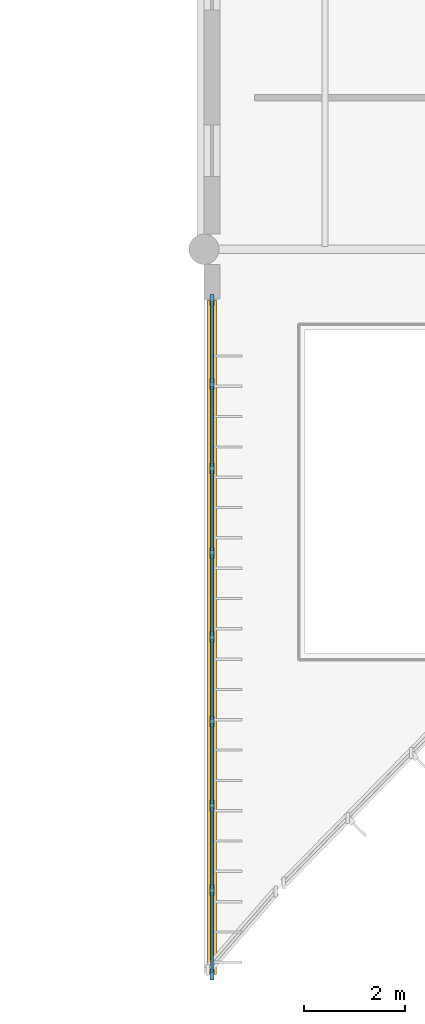
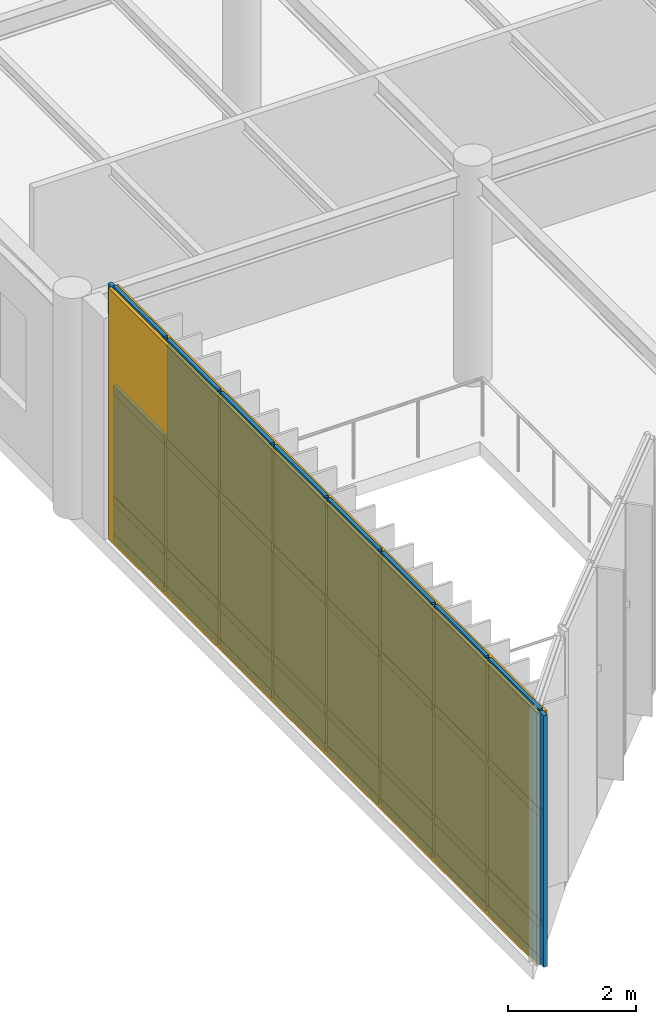
# One storey, part 57 of 104: 41 members, 23 plates, 1 curtain wall.
"""IFC4 building model written with IfcOpenShell, lengths in metres."""

from ifc_helpers import new_model, si_unit, direction, frame, frame_2d, origin, origin_2d, place, context, subcontext, project, spatial, rectangle, extrude, material, layer, layer_set, material_profile, profile_set, type_object, element, aggregate, save


model = new_model("IFC4")

# Units and contexts
model_context = context("Model", 3, precision=1e-05, world=origin(), true_north=direction((0.0, 1.0)))
body_context = subcontext(model_context, "Body", "Model", "MODEL_VIEW")
ifc_project = project(units=[si_unit("LENGTHUNIT", "METRE"), si_unit("AREAUNIT", "SQUARE_METRE"), si_unit("VOLUMEUNIT", "CUBIC_METRE"), si_unit("PLANEANGLEUNIT", "RADIAN"), si_unit("MASSUNIT", "GRAM", prefix="KILO")], contexts=[model_context])

# Member
ifc_material_1 = material(Name="Anodised Bronze Aluminium 6063-T6", Category="aluminium")
ifc_material_profile_1 = material_profile(ifc_material_1, rectangle(XDim=0.070068359375, YDim=0.219970703125, at=origin_2d()), Name="ALU MULLION 70x220")
ifc_profile_set_1 = profile_set([ifc_material_profile_1], Name="Anodised Bronze Aluminium 6063-T6")
member_type_1 = type_object("IfcMemberType", Name="Curtain-Wall Heavy Mullion 70x220", PredefinedType="MULLION", material=ifc_profile_set_1)
site_placement = place(None, origin())
building_placement = place(site_placement, origin())
storey_placement = place(building_placement, frame((0.0, 0.0, 9.0)))
member_1_placement = place(storey_placement, frame((36.159912109375, 1.449951171875, 0.0), z_axis=(0.0, 0.0, 1.0), x_axis=(1.0, 0.0, 0.0)))
member_1 = element("IfcMember", 1, at=member_1_placement, type_object=member_type_1, Name="Mullion CWM-02 CW-V5-RET-W-L02-M01", PredefinedType="MULLION", context=body_context, shape_type="SweptSolid", body=[
    extrude(rectangle(XDim=0.070068359375, YDim=0.219970703125, at=origin_2d()), origin(), (0.0, 0.0, 1.0), 4.780029296875),
])

member_2_placement = place(storey_placement, frame((36.159912109375, 3.118896484375, 0.0), z_axis=(0.0, 0.0, 1.0), x_axis=(1.0, 0.0, 0.0)))
member_2 = element("IfcMember", 2, at=member_2_placement, type_object=member_type_1, Name="Mullion CWM-02 CW-V5-RET-W-L02-M02", PredefinedType="MULLION", context=body_context, shape_type="SweptSolid", body=[
    extrude(rectangle(XDim=0.070068359375, YDim=0.219970703125, at=origin_2d()), origin(), (0.0, 0.0, 1.0), 4.780029296875),
])

member_3_placement = place(storey_placement, frame((36.159912109375, 4.78759765625, 0.0), z_axis=(0.0, 0.0, 1.0), x_axis=(1.0, 0.0, 0.0)))
member_3 = element("IfcMember", 3, at=member_3_placement, type_object=member_type_1, Name="Mullion CWM-02 CW-V5-RET-W-L02-M03", PredefinedType="MULLION", context=body_context, shape_type="SweptSolid", body=[
    extrude(rectangle(XDim=0.070068359375, YDim=0.219970703125, at=origin_2d()), origin(), (0.0, 0.0, 1.0), 4.780029296875),
])

member_4_placement = place(storey_placement, frame((36.159912109375, 6.456298828125, 0.0), z_axis=(0.0, 0.0, 1.0), x_axis=(1.0, 0.0, 0.0)))
member_4 = element("IfcMember", 4, at=member_4_placement, type_object=member_type_1, Name="Mullion CWM-02 CW-V5-RET-W-L02-M04", PredefinedType="MULLION", context=body_context, shape_type="SweptSolid", body=[
    extrude(rectangle(XDim=0.070068359375, YDim=0.219970703125, at=origin_2d()), origin(), (0.0, 0.0, 1.0), 4.780029296875),
])

member_5_placement = place(storey_placement, frame((36.159912109375, 8.125, 0.0), z_axis=(0.0, 0.0, 1.0), x_axis=(1.0, 0.0, 0.0)))
member_5 = element("IfcMember", 5, at=member_5_placement, type_object=member_type_1, Name="Mullion CWM-02 CW-V5-RET-W-L02-M05", PredefinedType="MULLION", context=body_context, shape_type="SweptSolid", body=[
    extrude(rectangle(XDim=0.070068359375, YDim=0.219970703125, at=origin_2d()), origin(), (0.0, 0.0, 1.0), 4.780029296875),
])

member_6_placement = place(storey_placement, frame((36.159912109375, 9.793701171875, 0.0), z_axis=(0.0, 0.0, 1.0), x_axis=(1.0, 0.0, 0.0)))
member_6 = element("IfcMember", 6, at=member_6_placement, type_object=member_type_1, Name="Mullion CWM-02 CW-V5-RET-W-L02-M06", PredefinedType="MULLION", context=body_context, shape_type="SweptSolid", body=[
    extrude(rectangle(XDim=0.070068359375, YDim=0.219970703125, at=origin_2d()), origin(), (0.0, 0.0, 1.0), 4.780029296875),
])

member_7_placement = place(storey_placement, frame((36.159912109375, 11.46240234375, 0.0), z_axis=(0.0, 0.0, 1.0), x_axis=(1.0, 0.0, 0.0)))
member_7 = element("IfcMember", 7, at=member_7_placement, type_object=member_type_1, Name="Mullion CWM-02 CW-V5-RET-W-L02-M07", PredefinedType="MULLION", context=body_context, shape_type="SweptSolid", body=[
    extrude(rectangle(XDim=0.070068359375, YDim=0.219970703125, at=origin_2d()), origin(), (0.0, 0.0, 1.0), 4.780029296875),
])

member_8_placement = place(storey_placement, frame((36.159912109375, 13.13134765625, 0.0), z_axis=(0.0, 0.0, 1.0), x_axis=(1.0, 0.0, 0.0)))
member_8 = element("IfcMember", 8, at=member_8_placement, type_object=member_type_1, Name="Mullion CWM-02 CW-V5-RET-W-L02-M08", PredefinedType="MULLION", context=body_context, shape_type="SweptSolid", body=[
    extrude(rectangle(XDim=0.070068359375, YDim=0.219970703125, at=origin_2d()), origin(), (0.0, 0.0, 1.0), 4.780029296875),
])

member_9_placement = place(storey_placement, frame((36.159912109375, 14.800048828125, 0.0), z_axis=(0.0, 0.0, 1.0), x_axis=(1.0, 0.0, 0.0)))
member_9 = element("IfcMember", 9, at=member_9_placement, type_object=member_type_1, Name="Mullion CWM-02 CW-V5-RET-W-L02-M09", PredefinedType="MULLION", context=body_context, shape_type="SweptSolid", body=[
    extrude(rectangle(XDim=0.070068359375, YDim=0.219970703125, at=origin_2d()), origin(), (0.0, 0.0, 1.0), 4.780029296875),
])

ifc_material_profile_2 = material_profile(ifc_material_1, rectangle(XDim=0.06005859375, YDim=0.159912109375, at=origin_2d()), Name="ALU TRANSOM 60x160")
ifc_profile_set_2 = profile_set([ifc_material_profile_2], Name="Anodised Bronze Aluminium 6063-T6")
member_type_2 = type_object("IfcMemberType", Name="Curtain-Wall Heavy Transom 60x160", PredefinedType="USERDEFINED", material=ifc_profile_set_2)
member_10_placement = place(storey_placement, frame((36.159912109375, 1.485107421875, 0.0400390625), z_axis=(0.0, 1.0, 0.0), x_axis=(-1.0, 0.0, 0.0)))
member_10 = element("IfcMember", 10, at=member_10_placement, type_object=member_type_2, Name="Transom CWT-02 CW-V5-RET-W-L02-T01.1", ObjectType="TRANSOM", PredefinedType="USERDEFINED", context=body_context, shape_type="SweptSolid", body=[
    extrude(rectangle(XDim=0.06005859375, YDim=0.159912109375, at=origin_2d()), origin(), (0.0, 0.0, 1.0), 1.5986328125),
])

member_11_placement = place(storey_placement, frame((36.159912109375, 1.485107421875, 0.75), z_axis=(0.0, 1.0, 0.0), x_axis=(-1.0, 0.0, 0.0)))
member_11 = element("IfcMember", 11, at=member_11_placement, type_object=member_type_2, Name="Transom CWT-02 CW-V5-RET-W-L02-T01.2", ObjectType="TRANSOM", PredefinedType="USERDEFINED", context=body_context, shape_type="SweptSolid", body=[
    extrude(rectangle(XDim=0.06005859375, YDim=0.159912109375, at=origin_2d()), origin(), (0.0, 0.0, 1.0), 1.5986328125),
])

member_12_placement = place(storey_placement, frame((36.159912109375, 1.485107421875, 2.845703125), z_axis=(0.0, 1.0, 0.0), x_axis=(-1.0, 0.0, 0.0)))
member_12 = element("IfcMember", 12, at=member_12_placement, type_object=member_type_2, Name="Transom CWT-02 CW-V5-RET-W-L02-T01.3", ObjectType="TRANSOM", PredefinedType="USERDEFINED", context=body_context, shape_type="SweptSolid", body=[
    extrude(rectangle(XDim=0.06005859375, YDim=0.159912109375, at=origin_2d()), origin(), (0.0, 0.0, 1.0), 1.5986328125),
])

member_13_placement = place(storey_placement, frame((36.159912109375, 1.485107421875, 4.739990234375), z_axis=(0.0, 1.0, 0.0), x_axis=(-1.0, 0.0, 0.0)))
member_13 = element("IfcMember", 13, at=member_13_placement, type_object=member_type_2, Name="Transom CWT-02 CW-V5-RET-W-L02-T01.4", ObjectType="TRANSOM", PredefinedType="USERDEFINED", context=body_context, shape_type="SweptSolid", body=[
    extrude(rectangle(XDim=0.06005859375, YDim=0.159912109375, at=origin_2d()), origin(), (0.0, 0.0, 1.0), 1.5986328125),
])

member_14_placement = place(storey_placement, frame((36.159912109375, 3.15380859375, 0.0400390625), z_axis=(0.0, 1.0, 0.0), x_axis=(-1.0, 0.0, 0.0)))
member_14 = element("IfcMember", 14, at=member_14_placement, type_object=member_type_2, Name="Transom CWT-02 CW-V5-RET-W-L02-T02.1", ObjectType="TRANSOM", PredefinedType="USERDEFINED", context=body_context, shape_type="SweptSolid", body=[
    extrude(rectangle(XDim=0.06005859375, YDim=0.159912109375, at=origin_2d()), origin(), (0.0, 0.0, 1.0), 1.5986328125),
])

member_15_placement = place(storey_placement, frame((36.159912109375, 3.15380859375, 0.75), z_axis=(0.0, 1.0, 0.0), x_axis=(-1.0, 0.0, 0.0)))
member_15 = element("IfcMember", 15, at=member_15_placement, type_object=member_type_2, Name="Transom CWT-02 CW-V5-RET-W-L02-T02.2", ObjectType="TRANSOM", PredefinedType="USERDEFINED", context=body_context, shape_type="SweptSolid", body=[
    extrude(rectangle(XDim=0.06005859375, YDim=0.159912109375, at=origin_2d()), origin(), (0.0, 0.0, 1.0), 1.5986328125),
])

member_16_placement = place(storey_placement, frame((36.159912109375, 3.15380859375, 2.845703125), z_axis=(0.0, 1.0, 0.0), x_axis=(-1.0, 0.0, 0.0)))
member_16 = element("IfcMember", 16, at=member_16_placement, type_object=member_type_2, Name="Transom CWT-02 CW-V5-RET-W-L02-T02.3", ObjectType="TRANSOM", PredefinedType="USERDEFINED", context=body_context, shape_type="SweptSolid", body=[
    extrude(rectangle(XDim=0.06005859375, YDim=0.159912109375, at=origin_2d()), origin(), (0.0, 0.0, 1.0), 1.5986328125),
])

member_17_placement = place(storey_placement, frame((36.159912109375, 3.15380859375, 4.739990234375), z_axis=(0.0, 1.0, 0.0), x_axis=(-1.0, 0.0, 0.0)))
member_17 = element("IfcMember", 17, at=member_17_placement, type_object=member_type_2, Name="Transom CWT-02 CW-V5-RET-W-L02-T02.4", ObjectType="TRANSOM", PredefinedType="USERDEFINED", context=body_context, shape_type="SweptSolid", body=[
    extrude(rectangle(XDim=0.06005859375, YDim=0.159912109375, at=origin_2d()), origin(), (0.0, 0.0, 1.0), 1.5986328125),
])

member_18_placement = place(storey_placement, frame((36.159912109375, 4.822509765625, 0.0400390625), z_axis=(0.0, 1.0, 0.0), x_axis=(-1.0, 0.0, 0.0)))
member_18 = element("IfcMember", 18, at=member_18_placement, type_object=member_type_2, Name="Transom CWT-02 CW-V5-RET-W-L02-T03.1", ObjectType="TRANSOM", PredefinedType="USERDEFINED", context=body_context, shape_type="SweptSolid", body=[
    extrude(rectangle(XDim=0.06005859375, YDim=0.159912109375, at=origin_2d()), origin(), (0.0, 0.0, 1.0), 1.598876953125),
])

member_19_placement = place(storey_placement, frame((36.159912109375, 4.822509765625, 0.75), z_axis=(0.0, 1.0, 0.0), x_axis=(-1.0, 0.0, 0.0)))
member_19 = element("IfcMember", 19, at=member_19_placement, type_object=member_type_2, Name="Transom CWT-02 CW-V5-RET-W-L02-T03.2", ObjectType="TRANSOM", PredefinedType="USERDEFINED", context=body_context, shape_type="SweptSolid", body=[
    extrude(rectangle(XDim=0.06005859375, YDim=0.159912109375, at=origin_2d()), origin(), (0.0, 0.0, 1.0), 1.598876953125),
])

member_20_placement = place(storey_placement, frame((36.159912109375, 4.822509765625, 2.845703125), z_axis=(0.0, 1.0, 0.0), x_axis=(-1.0, 0.0, 0.0)))
member_20 = element("IfcMember", 20, at=member_20_placement, type_object=member_type_2, Name="Transom CWT-02 CW-V5-RET-W-L02-T03.3", ObjectType="TRANSOM", PredefinedType="USERDEFINED", context=body_context, shape_type="SweptSolid", body=[
    extrude(rectangle(XDim=0.06005859375, YDim=0.159912109375, at=origin_2d()), origin(), (0.0, 0.0, 1.0), 1.598876953125),
])

member_21_placement = place(storey_placement, frame((36.159912109375, 4.822509765625, 4.739990234375), z_axis=(0.0, 1.0, 0.0), x_axis=(-1.0, 0.0, 0.0)))
member_21 = element("IfcMember", 21, at=member_21_placement, type_object=member_type_2, Name="Transom CWT-02 CW-V5-RET-W-L02-T03.4", ObjectType="TRANSOM", PredefinedType="USERDEFINED", context=body_context, shape_type="SweptSolid", body=[
    extrude(rectangle(XDim=0.06005859375, YDim=0.159912109375, at=origin_2d()), origin(), (0.0, 0.0, 1.0), 1.598876953125),
])

member_22_placement = place(storey_placement, frame((36.159912109375, 6.4912109375, 0.0400390625), z_axis=(0.0, 1.0, 0.0), x_axis=(-1.0, 0.0, 0.0)))
member_22 = element("IfcMember", 22, at=member_22_placement, type_object=member_type_2, Name="Transom CWT-02 CW-V5-RET-W-L02-T04.1", ObjectType="TRANSOM", PredefinedType="USERDEFINED", context=body_context, shape_type="SweptSolid", body=[
    extrude(rectangle(XDim=0.06005859375, YDim=0.159912109375, at=origin_2d()), origin(), (0.0, 0.0, 1.0), 1.598876953125),
])

member_23_placement = place(storey_placement, frame((36.159912109375, 6.4912109375, 0.75), z_axis=(0.0, 1.0, 0.0), x_axis=(-1.0, 0.0, 0.0)))
member_23 = element("IfcMember", 23, at=member_23_placement, type_object=member_type_2, Name="Transom CWT-02 CW-V5-RET-W-L02-T04.2", ObjectType="TRANSOM", PredefinedType="USERDEFINED", context=body_context, shape_type="SweptSolid", body=[
    extrude(rectangle(XDim=0.06005859375, YDim=0.159912109375, at=origin_2d()), origin(), (0.0, 0.0, 1.0), 1.598876953125),
])

member_24_placement = place(storey_placement, frame((36.159912109375, 6.4912109375, 2.845703125), z_axis=(0.0, 1.0, 0.0), x_axis=(-1.0, 0.0, 0.0)))
member_24 = element("IfcMember", 24, at=member_24_placement, type_object=member_type_2, Name="Transom CWT-02 CW-V5-RET-W-L02-T04.3", ObjectType="TRANSOM", PredefinedType="USERDEFINED", context=body_context, shape_type="SweptSolid", body=[
    extrude(rectangle(XDim=0.06005859375, YDim=0.159912109375, at=origin_2d()), origin(), (0.0, 0.0, 1.0), 1.598876953125),
])

member_25_placement = place(storey_placement, frame((36.159912109375, 6.4912109375, 4.739990234375), z_axis=(0.0, 1.0, 0.0), x_axis=(-1.0, 0.0, 0.0)))
member_25 = element("IfcMember", 25, at=member_25_placement, type_object=member_type_2, Name="Transom CWT-02 CW-V5-RET-W-L02-T04.4", ObjectType="TRANSOM", PredefinedType="USERDEFINED", context=body_context, shape_type="SweptSolid", body=[
    extrude(rectangle(XDim=0.06005859375, YDim=0.159912109375, at=origin_2d()), origin(), (0.0, 0.0, 1.0), 1.598876953125),
])

member_26_placement = place(storey_placement, frame((36.159912109375, 8.159912109375, 0.0400390625), z_axis=(0.0, 1.0, 0.0), x_axis=(-1.0, 0.0, 0.0)))
member_26 = element("IfcMember", 26, at=member_26_placement, type_object=member_type_2, Name="Transom CWT-02 CW-V5-RET-W-L02-T05.1", ObjectType="TRANSOM", PredefinedType="USERDEFINED", context=body_context, shape_type="SweptSolid", body=[
    extrude(rectangle(XDim=0.06005859375, YDim=0.159912109375, at=origin_2d()), origin(), (0.0, 0.0, 1.0), 1.598876953125),
])

member_27_placement = place(storey_placement, frame((36.159912109375, 8.159912109375, 0.75), z_axis=(0.0, 1.0, 0.0), x_axis=(-1.0, 0.0, 0.0)))
member_27 = element("IfcMember", 27, at=member_27_placement, type_object=member_type_2, Name="Transom CWT-02 CW-V5-RET-W-L02-T05.2", ObjectType="TRANSOM", PredefinedType="USERDEFINED", context=body_context, shape_type="SweptSolid", body=[
    extrude(rectangle(XDim=0.06005859375, YDim=0.159912109375, at=origin_2d()), origin(), (0.0, 0.0, 1.0), 1.598876953125),
])

member_28_placement = place(storey_placement, frame((36.159912109375, 8.159912109375, 2.845703125), z_axis=(0.0, 1.0, 0.0), x_axis=(-1.0, 0.0, 0.0)))
member_28 = element("IfcMember", 28, at=member_28_placement, type_object=member_type_2, Name="Transom CWT-02 CW-V5-RET-W-L02-T05.3", ObjectType="TRANSOM", PredefinedType="USERDEFINED", context=body_context, shape_type="SweptSolid", body=[
    extrude(rectangle(XDim=0.06005859375, YDim=0.159912109375, at=origin_2d()), origin(), (0.0, 0.0, 1.0), 1.598876953125),
])

member_29_placement = place(storey_placement, frame((36.159912109375, 8.159912109375, 4.739990234375), z_axis=(0.0, 1.0, 0.0), x_axis=(-1.0, 0.0, 0.0)))
member_29 = element("IfcMember", 29, at=member_29_placement, type_object=member_type_2, Name="Transom CWT-02 CW-V5-RET-W-L02-T05.4", ObjectType="TRANSOM", PredefinedType="USERDEFINED", context=body_context, shape_type="SweptSolid", body=[
    extrude(rectangle(XDim=0.06005859375, YDim=0.159912109375, at=origin_2d()), origin(), (0.0, 0.0, 1.0), 1.598876953125),
])

member_30_placement = place(storey_placement, frame((36.159912109375, 9.82861328125, 0.0400390625), z_axis=(0.0, 1.0, 0.0), x_axis=(-1.0, 0.0, 0.0)))
member_30 = element("IfcMember", 30, at=member_30_placement, type_object=member_type_2, Name="Transom CWT-02 CW-V5-RET-W-L02-T06.1", ObjectType="TRANSOM", PredefinedType="USERDEFINED", context=body_context, shape_type="SweptSolid", body=[
    extrude(rectangle(XDim=0.06005859375, YDim=0.159912109375, at=origin_2d()), origin(), (0.0, 0.0, 1.0), 1.598876953125),
])

member_31_placement = place(storey_placement, frame((36.159912109375, 9.82861328125, 0.75), z_axis=(0.0, 1.0, 0.0), x_axis=(-1.0, 0.0, 0.0)))
member_31 = element("IfcMember", 31, at=member_31_placement, type_object=member_type_2, Name="Transom CWT-02 CW-V5-RET-W-L02-T06.2", ObjectType="TRANSOM", PredefinedType="USERDEFINED", context=body_context, shape_type="SweptSolid", body=[
    extrude(rectangle(XDim=0.06005859375, YDim=0.159912109375, at=origin_2d()), origin(), (0.0, 0.0, 1.0), 1.598876953125),
])

member_32_placement = place(storey_placement, frame((36.159912109375, 9.82861328125, 2.845703125), z_axis=(0.0, 1.0, 0.0), x_axis=(-1.0, 0.0, 0.0)))
member_32 = element("IfcMember", 32, at=member_32_placement, type_object=member_type_2, Name="Transom CWT-02 CW-V5-RET-W-L02-T06.3", ObjectType="TRANSOM", PredefinedType="USERDEFINED", context=body_context, shape_type="SweptSolid", body=[
    extrude(rectangle(XDim=0.06005859375, YDim=0.159912109375, at=origin_2d()), origin(), (0.0, 0.0, 1.0), 1.598876953125),
])

member_33_placement = place(storey_placement, frame((36.159912109375, 9.82861328125, 4.739990234375), z_axis=(0.0, 1.0, 0.0), x_axis=(-1.0, 0.0, 0.0)))
member_33 = element("IfcMember", 33, at=member_33_placement, type_object=member_type_2, Name="Transom CWT-02 CW-V5-RET-W-L02-T06.4", ObjectType="TRANSOM", PredefinedType="USERDEFINED", context=body_context, shape_type="SweptSolid", body=[
    extrude(rectangle(XDim=0.06005859375, YDim=0.159912109375, at=origin_2d()), origin(), (0.0, 0.0, 1.0), 1.598876953125),
])

member_34_placement = place(storey_placement, frame((36.159912109375, 11.49755859375, 0.0400390625), z_axis=(0.0, 1.0, 0.0), x_axis=(-1.0, 0.0, 0.0)))
member_34 = element("IfcMember", 34, at=member_34_placement, type_object=member_type_2, Name="Transom CWT-02 CW-V5-RET-W-L02-T07.1", ObjectType="TRANSOM", PredefinedType="USERDEFINED", context=body_context, shape_type="SweptSolid", body=[
    extrude(rectangle(XDim=0.06005859375, YDim=0.159912109375, at=origin_2d()), origin(), (0.0, 0.0, 1.0), 1.5986328125),
])

member_35_placement = place(storey_placement, frame((36.159912109375, 11.49755859375, 0.75), z_axis=(0.0, 1.0, 0.0), x_axis=(-1.0, 0.0, 0.0)))
member_35 = element("IfcMember", 35, at=member_35_placement, type_object=member_type_2, Name="Transom CWT-02 CW-V5-RET-W-L02-T07.2", ObjectType="TRANSOM", PredefinedType="USERDEFINED", context=body_context, shape_type="SweptSolid", body=[
    extrude(rectangle(XDim=0.06005859375, YDim=0.159912109375, at=origin_2d()), origin(), (0.0, 0.0, 1.0), 1.5986328125),
])

member_36_placement = place(storey_placement, frame((36.159912109375, 11.49755859375, 2.845703125), z_axis=(0.0, 1.0, 0.0), x_axis=(-1.0, 0.0, 0.0)))
member_36 = element("IfcMember", 36, at=member_36_placement, type_object=member_type_2, Name="Transom CWT-02 CW-V5-RET-W-L02-T07.3", ObjectType="TRANSOM", PredefinedType="USERDEFINED", context=body_context, shape_type="SweptSolid", body=[
    extrude(rectangle(XDim=0.06005859375, YDim=0.159912109375, at=origin_2d()), origin(), (0.0, 0.0, 1.0), 1.5986328125),
])

member_37_placement = place(storey_placement, frame((36.159912109375, 11.49755859375, 4.739990234375), z_axis=(0.0, 1.0, 0.0), x_axis=(-1.0, 0.0, 0.0)))
member_37 = element("IfcMember", 37, at=member_37_placement, type_object=member_type_2, Name="Transom CWT-02 CW-V5-RET-W-L02-T07.4", ObjectType="TRANSOM", PredefinedType="USERDEFINED", context=body_context, shape_type="SweptSolid", body=[
    extrude(rectangle(XDim=0.06005859375, YDim=0.159912109375, at=origin_2d()), origin(), (0.0, 0.0, 1.0), 1.5986328125),
])

member_38_placement = place(storey_placement, frame((36.159912109375, 13.166259765625, 0.0400390625), z_axis=(0.0, 1.0, 0.0), x_axis=(-1.0, 0.0, 0.0)))
member_38 = element("IfcMember", 38, at=member_38_placement, type_object=member_type_2, Name="Transom CWT-02 CW-V5-RET-W-L02-T08.1", ObjectType="TRANSOM", PredefinedType="USERDEFINED", context=body_context, shape_type="SweptSolid", body=[
    extrude(rectangle(XDim=0.06005859375, YDim=0.159912109375, at=origin_2d()), origin(), (0.0, 0.0, 1.0), 1.5986328125),
])

member_39_placement = place(storey_placement, frame((36.159912109375, 13.166259765625, 0.75), z_axis=(0.0, 1.0, 0.0), x_axis=(-1.0, 0.0, 0.0)))
member_39 = element("IfcMember", 39, at=member_39_placement, type_object=member_type_2, Name="Transom CWT-02 CW-V5-RET-W-L02-T08.2", ObjectType="TRANSOM", PredefinedType="USERDEFINED", context=body_context, shape_type="SweptSolid", body=[
    extrude(rectangle(XDim=0.06005859375, YDim=0.159912109375, at=origin_2d()), origin(), (0.0, 0.0, 1.0), 1.5986328125),
])

member_40_placement = place(storey_placement, frame((36.159912109375, 13.166259765625, 2.845703125), z_axis=(0.0, 1.0, 0.0), x_axis=(-1.0, 0.0, 0.0)))
member_40 = element("IfcMember", 40, at=member_40_placement, type_object=member_type_2, Name="Transom CWT-02 CW-V5-RET-W-L02-T08.3", ObjectType="TRANSOM", PredefinedType="USERDEFINED", context=body_context, shape_type="SweptSolid", body=[
    extrude(rectangle(XDim=0.06005859375, YDim=0.159912109375, at=origin_2d()), origin(), (0.0, 0.0, 1.0), 1.5986328125),
])

member_41_placement = place(storey_placement, frame((36.159912109375, 13.166259765625, 4.739990234375), z_axis=(0.0, 1.0, 0.0), x_axis=(-1.0, 0.0, 0.0)))
member_41 = element("IfcMember", 41, at=member_41_placement, type_object=member_type_2, Name="Transom CWT-02 CW-V5-RET-W-L02-T08.4", ObjectType="TRANSOM", PredefinedType="USERDEFINED", context=body_context, shape_type="SweptSolid", body=[
    extrude(rectangle(XDim=0.06005859375, YDim=0.159912109375, at=origin_2d()), origin(), (0.0, 0.0, 1.0), 1.5986328125),
])

# Plate
ifc_material_2 = material(Name="Double Low-E Acoustic Laminated Glass", Category="glass")
ifc_layer_1 = layer(ifc_material_2, 0.0439453125, Name="Double Low-E Acoustic Laminated Glass")
ifc_layer_set_1 = layer_set([ifc_layer_1], Name="Double Low-E Acoustic Laminated Glass")
plate_type_1 = type_object("IfcPlateType", Name="Acoustic Laminated Low-E Glazing Unit 44", PredefinedType="CURTAIN_PANEL", material=ifc_layer_set_1)
plate_1_placement = place(storey_placement, frame((36.159912109375, 2.284423828125, 0.780029296875), z_axis=(0.0, 0.0, 1.0), x_axis=(0.0, 1.0, 0.0)))
plate_1 = element("IfcPlate", 42, at=plate_1_placement, type_object=plate_type_1, Name="Curtain Panel CWP-01 CW-V5-RET-W-L02-P01.2", PredefinedType="CURTAIN_PANEL", context=body_context, shape_type="SweptSolid", body=[
    extrude(rectangle(XDim=1.598876953125, YDim=0.0439453125, at=origin_2d()), origin(), (0.0, 0.0, 1.0), 2.03564453125),
])

plate_2_placement = place(storey_placement, frame((36.159912109375, 2.284423828125, 2.87548828125), z_axis=(0.0, 0.0, 1.0), x_axis=(0.0, 1.0, 0.0)))
plate_2 = element("IfcPlate", 43, at=plate_2_placement, type_object=plate_type_1, Name="Curtain Panel CWP-01 CW-V5-RET-W-L02-P01.3", PredefinedType="CURTAIN_PANEL", context=body_context, shape_type="SweptSolid", body=[
    extrude(rectangle(XDim=1.598876953125, YDim=0.0439453125, at=origin_2d()), origin(), (0.0, 0.0, 1.0), 1.83447265625),
])

plate_3_placement = place(storey_placement, frame((36.159912109375, 3.953125, 0.780029296875), z_axis=(0.0, 0.0, 1.0), x_axis=(0.0, 1.0, 0.0)))
plate_3 = element("IfcPlate", 44, at=plate_3_placement, type_object=plate_type_1, Name="Curtain Panel CWP-01 CW-V5-RET-W-L02-P02.2", PredefinedType="CURTAIN_PANEL", context=body_context, shape_type="SweptSolid", body=[
    extrude(rectangle(XDim=1.598876953125, YDim=0.0439453125, at=origin_2d()), origin(), (0.0, 0.0, 1.0), 2.03564453125),
])

plate_4_placement = place(storey_placement, frame((36.159912109375, 3.953125, 2.87548828125), z_axis=(0.0, 0.0, 1.0), x_axis=(0.0, 1.0, 0.0)))
plate_4 = element("IfcPlate", 45, at=plate_4_placement, type_object=plate_type_1, Name="Curtain Panel CWP-01 CW-V5-RET-W-L02-P02.3", PredefinedType="CURTAIN_PANEL", context=body_context, shape_type="SweptSolid", body=[
    extrude(rectangle(XDim=1.598876953125, YDim=0.0439453125, at=origin_2d()), origin(), (0.0, 0.0, 1.0), 1.83447265625),
])

plate_5_placement = place(storey_placement, frame((36.159912109375, 5.621826171875, 0.780029296875), z_axis=(0.0, 0.0, 1.0), x_axis=(0.0, 1.0, 0.0)))
plate_5 = element("IfcPlate", 46, at=plate_5_placement, type_object=plate_type_1, Name="Curtain Panel CWP-01 CW-V5-RET-W-L02-P03.2", PredefinedType="CURTAIN_PANEL", context=body_context, shape_type="SweptSolid", body=[
    extrude(rectangle(XDim=1.5986328125, YDim=0.0439453125, at=origin_2d()), origin(), (0.0, 0.0, 1.0), 2.03564453125),
])

plate_6_placement = place(storey_placement, frame((36.159912109375, 5.621826171875, 2.87548828125), z_axis=(0.0, 0.0, 1.0), x_axis=(0.0, 1.0, 0.0)))
plate_6 = element("IfcPlate", 47, at=plate_6_placement, type_object=plate_type_1, Name="Curtain Panel CWP-01 CW-V5-RET-W-L02-P03.3", PredefinedType="CURTAIN_PANEL", context=body_context, shape_type="SweptSolid", body=[
    extrude(rectangle(XDim=1.5986328125, YDim=0.0439453125, at=origin_2d()), origin(), (0.0, 0.0, 1.0), 1.83447265625),
])

plate_7_placement = place(storey_placement, frame((36.159912109375, 7.29052734375, 0.780029296875), z_axis=(0.0, 0.0, 1.0), x_axis=(0.0, 1.0, 0.0)))
plate_7 = element("IfcPlate", 48, at=plate_7_placement, type_object=plate_type_1, Name="Curtain Panel CWP-01 CW-V5-RET-W-L02-P04.2", PredefinedType="CURTAIN_PANEL", context=body_context, shape_type="SweptSolid", body=[
    extrude(rectangle(XDim=1.5986328125, YDim=0.0439453125, at=origin_2d()), origin(), (0.0, 0.0, 1.0), 2.03564453125),
])

plate_8_placement = place(storey_placement, frame((36.159912109375, 7.29052734375, 2.87548828125), z_axis=(0.0, 0.0, 1.0), x_axis=(0.0, 1.0, 0.0)))
plate_8 = element("IfcPlate", 49, at=plate_8_placement, type_object=plate_type_1, Name="Curtain Panel CWP-01 CW-V5-RET-W-L02-P04.3", PredefinedType="CURTAIN_PANEL", context=body_context, shape_type="SweptSolid", body=[
    extrude(rectangle(XDim=1.5986328125, YDim=0.0439453125, at=origin_2d()), origin(), (0.0, 0.0, 1.0), 1.83447265625),
])

plate_9_placement = place(storey_placement, frame((36.159912109375, 8.95947265625, 0.780029296875), z_axis=(0.0, 0.0, 1.0), x_axis=(0.0, 1.0, 0.0)))
plate_9 = element("IfcPlate", 50, at=plate_9_placement, type_object=plate_type_1, Name="Curtain Panel CWP-01 CW-V5-RET-W-L02-P05.2", PredefinedType="CURTAIN_PANEL", context=body_context, shape_type="SweptSolid", body=[
    extrude(rectangle(XDim=1.5986328125, YDim=0.0439453125, at=origin_2d()), origin(), (0.0, 0.0, 1.0), 2.03564453125),
])

plate_10_placement = place(storey_placement, frame((36.159912109375, 8.95947265625, 2.87548828125), z_axis=(0.0, 0.0, 1.0), x_axis=(0.0, 1.0, 0.0)))
plate_10 = element("IfcPlate", 51, at=plate_10_placement, type_object=plate_type_1, Name="Curtain Panel CWP-01 CW-V5-RET-W-L02-P05.3", PredefinedType="CURTAIN_PANEL", context=body_context, shape_type="SweptSolid", body=[
    extrude(rectangle(XDim=1.5986328125, YDim=0.0439453125, at=origin_2d()), origin(), (0.0, 0.0, 1.0), 1.83447265625),
])

plate_11_placement = place(storey_placement, frame((36.159912109375, 10.628173828125, 0.780029296875), z_axis=(0.0, 0.0, 1.0), x_axis=(0.0, 1.0, 0.0)))
plate_11 = element("IfcPlate", 52, at=plate_11_placement, type_object=plate_type_1, Name="Curtain Panel CWP-01 CW-V5-RET-W-L02-P06.2", PredefinedType="CURTAIN_PANEL", context=body_context, shape_type="SweptSolid", body=[
    extrude(rectangle(XDim=1.598876953125, YDim=0.0439453125, at=origin_2d()), origin(), (0.0, 0.0, 1.0), 2.03564453125),
])

plate_12_placement = place(storey_placement, frame((36.159912109375, 10.628173828125, 2.87548828125), z_axis=(0.0, 0.0, 1.0), x_axis=(0.0, 1.0, 0.0)))
plate_12 = element("IfcPlate", 53, at=plate_12_placement, type_object=plate_type_1, Name="Curtain Panel CWP-01 CW-V5-RET-W-L02-P06.3", PredefinedType="CURTAIN_PANEL", context=body_context, shape_type="SweptSolid", body=[
    extrude(rectangle(XDim=1.598876953125, YDim=0.0439453125, at=origin_2d()), origin(), (0.0, 0.0, 1.0), 1.83447265625),
])

plate_13_placement = place(storey_placement, frame((36.159912109375, 12.296875, 0.780029296875), z_axis=(0.0, 0.0, 1.0), x_axis=(0.0, 1.0, 0.0)))
plate_13 = element("IfcPlate", 54, at=plate_13_placement, type_object=plate_type_1, Name="Curtain Panel CWP-01 CW-V5-RET-W-L02-P07.2", PredefinedType="CURTAIN_PANEL", context=body_context, shape_type="SweptSolid", body=[
    extrude(rectangle(XDim=1.598876953125, YDim=0.0439453125, at=origin_2d()), origin(), (0.0, 0.0, 1.0), 2.03564453125),
])

plate_14_placement = place(storey_placement, frame((36.159912109375, 12.296875, 2.87548828125), z_axis=(0.0, 0.0, 1.0), x_axis=(0.0, 1.0, 0.0)))
plate_14 = element("IfcPlate", 55, at=plate_14_placement, type_object=plate_type_1, Name="Curtain Panel CWP-01 CW-V5-RET-W-L02-P07.3", PredefinedType="CURTAIN_PANEL", context=body_context, shape_type="SweptSolid", body=[
    extrude(rectangle(XDim=1.598876953125, YDim=0.0439453125, at=origin_2d()), origin(), (0.0, 0.0, 1.0), 1.83447265625),
])

plate_15_placement = place(storey_placement, frame((36.159912109375, 13.965576171875, 0.780029296875), z_axis=(0.0, 0.0, 1.0), x_axis=(0.0, 1.0, 0.0)))
plate_15 = element("IfcPlate", 56, at=plate_15_placement, type_object=plate_type_1, Name="Curtain Panel CWP-01 CW-V5-RET-W-L02-P08.2", PredefinedType="CURTAIN_PANEL", context=body_context, shape_type="SweptSolid", body=[
    extrude(rectangle(XDim=1.5986328125, YDim=0.0439453125, at=origin_2d()), origin(), (0.0, 0.0, 1.0), 2.03564453125),
])

ifc_material_3 = material(Name="Ceramic-Fritted Tempered Laminated Glass", Category="glass")
ifc_layer_2 = layer(ifc_material_3, 0.0458984375, Name="Ceramic-Fritted Tempered Laminated Glass")
ifc_layer_set_2 = layer_set([ifc_layer_2], Name="Ceramic-Fritted Tempered Laminated Glass")
plate_type_2 = type_object("IfcPlateType", Name="Ceramic-Frit Acoustic Spandrel Glazing 46", PredefinedType="CURTAIN_PANEL", material=ifc_layer_set_2)
plate_16_placement = place(storey_placement, frame((36.159912109375, 2.284423828125, 0.070068359375), z_axis=(0.0, 0.0, 1.0), x_axis=(0.0, 1.0, 0.0)))
plate_16 = element("IfcPlate", 57, at=plate_16_placement, type_object=plate_type_2, Name="Curtain Panel CWP-04 CW-V5-RET-W-L02-P01.1", PredefinedType="CURTAIN_PANEL", context=body_context, shape_type="SweptSolid", body=[
    extrude(rectangle(XDim=1.598876953125, YDim=0.0458984375, at=origin_2d()), origin(), (0.0, 0.0, 1.0), 0.64990234375),
])

plate_17_placement = place(storey_placement, frame((36.159912109375, 3.953125, 0.070068359375), z_axis=(0.0, 0.0, 1.0), x_axis=(0.0, 1.0, 0.0)))
plate_17 = element("IfcPlate", 58, at=plate_17_placement, type_object=plate_type_2, Name="Curtain Panel CWP-04 CW-V5-RET-W-L02-P02.1", PredefinedType="CURTAIN_PANEL", context=body_context, shape_type="SweptSolid", body=[
    extrude(rectangle(XDim=1.598876953125, YDim=0.0458984375, at=origin_2d()), origin(), (0.0, 0.0, 1.0), 0.64990234375),
])

plate_18_placement = place(storey_placement, frame((36.159912109375, 5.621826171875, 0.070068359375), z_axis=(0.0, 0.0, 1.0), x_axis=(0.0, 1.0, 0.0)))
plate_18 = element("IfcPlate", 59, at=plate_18_placement, type_object=plate_type_2, Name="Curtain Panel CWP-04 CW-V5-RET-W-L02-P03.1", PredefinedType="CURTAIN_PANEL", context=body_context, shape_type="SweptSolid", body=[
    extrude(rectangle(XDim=1.5986328125, YDim=0.0458984375, at=origin_2d()), origin(), (0.0, 0.0, 1.0), 0.64990234375),
])

plate_19_placement = place(storey_placement, frame((36.159912109375, 7.29052734375, 0.070068359375), z_axis=(0.0, 0.0, 1.0), x_axis=(0.0, 1.0, 0.0)))
plate_19 = element("IfcPlate", 60, at=plate_19_placement, type_object=plate_type_2, Name="Curtain Panel CWP-04 CW-V5-RET-W-L02-P04.1", PredefinedType="CURTAIN_PANEL", context=body_context, shape_type="SweptSolid", body=[
    extrude(rectangle(XDim=1.5986328125, YDim=0.0458984375, at=origin_2d()), origin(), (0.0, 0.0, 1.0), 0.64990234375),
])

plate_20_placement = place(storey_placement, frame((36.159912109375, 8.95947265625, 0.070068359375), z_axis=(0.0, 0.0, 1.0), x_axis=(0.0, 1.0, 0.0)))
plate_20 = element("IfcPlate", 61, at=plate_20_placement, type_object=plate_type_2, Name="Curtain Panel CWP-04 CW-V5-RET-W-L02-P05.1", PredefinedType="CURTAIN_PANEL", context=body_context, shape_type="SweptSolid", body=[
    extrude(rectangle(XDim=1.5986328125, YDim=0.0458984375, at=origin_2d()), origin(), (0.0, 0.0, 1.0), 0.64990234375),
])

plate_21_placement = place(storey_placement, frame((36.159912109375, 10.628173828125, 0.070068359375), z_axis=(0.0, 0.0, 1.0), x_axis=(0.0, 1.0, 0.0)))
plate_21 = element("IfcPlate", 62, at=plate_21_placement, type_object=plate_type_2, Name="Curtain Panel CWP-04 CW-V5-RET-W-L02-P06.1", PredefinedType="CURTAIN_PANEL", context=body_context, shape_type="SweptSolid", body=[
    extrude(rectangle(XDim=1.598876953125, YDim=0.0458984375, at=origin_2d()), origin(), (0.0, 0.0, 1.0), 0.64990234375),
])

plate_22_placement = place(storey_placement, frame((36.159912109375, 12.296875, 0.070068359375), z_axis=(0.0, 0.0, 1.0), x_axis=(0.0, 1.0, 0.0)))
plate_22 = element("IfcPlate", 63, at=plate_22_placement, type_object=plate_type_2, Name="Curtain Panel CWP-04 CW-V5-RET-W-L02-P07.1", PredefinedType="CURTAIN_PANEL", context=body_context, shape_type="SweptSolid", body=[
    extrude(rectangle(XDim=1.598876953125, YDim=0.0458984375, at=origin_2d()), origin(), (0.0, 0.0, 1.0), 0.64990234375),
])

plate_23_placement = place(storey_placement, frame((36.159912109375, 13.965576171875, 0.070068359375), z_axis=(0.0, 0.0, 1.0), x_axis=(0.0, 1.0, 0.0)))
plate_23 = element("IfcPlate", 64, at=plate_23_placement, type_object=plate_type_2, Name="Curtain Panel CWP-04 CW-V5-RET-W-L02-P08.1", PredefinedType="CURTAIN_PANEL", context=body_context, shape_type="SweptSolid", body=[
    extrude(rectangle(XDim=1.5986328125, YDim=0.0458984375, at=origin_2d()), origin(), (0.0, 0.0, 1.0), 0.64990234375),
])

# Site, building, storey
site = spatial("IfcSite", under=ifc_project, at=site_placement, CompositionType="ELEMENT")
building = spatial("IfcBuilding", under=site, at=building_placement, Name="Tazoul Stagehouse", CompositionType="ELEMENT")
storey = spatial("IfcBuildingStorey", under=building, at=storey_placement, Name="L02", CompositionType="ELEMENT", Elevation=9.0)

# Curtain wall
curtain_wall_type = type_object("IfcCurtainWallType", Name="Crescent Double-Skin Acoustic Curtain Wall", PredefinedType="NOTDEFINED", material=ifc_material_1)
curtain_wall_placement = place(storey_placement, frame((36.159912109375, 1.449951171875, 0.0), z_axis=(0.0, 0.0, 1.0), x_axis=(0.0, 1.0, 0.0)))
curtain_wall = element("IfcCurtainWall", 65, at=curtain_wall_placement, inside=storey, type_object=curtain_wall_type, Name="L02 Curtain Wall CW-01 (CW-V5-RET-W-L02)", PredefinedType="NOTDEFINED", context=body_context, shape_type="SweptSolid", body=[
    extrude(rectangle(XDim=13.35009765625, YDim=0.179931640625, at=frame_2d((6.675048828125, 0.0))), origin(), (0.0, 0.0, 1.0), 4.780029296875),
])

aggregate(curtain_wall, [member_1, member_2, member_3, member_4, member_5, member_6, member_7, member_8, member_9, member_10, member_11, member_12, member_13, plate_16, plate_1, plate_2, member_14, member_15, member_16, member_17, plate_17, plate_3, plate_4, member_18, member_19, member_20, member_21, plate_18, plate_5, plate_6, member_22, member_23, member_24, member_25, plate_19, plate_7, plate_8, member_26, member_27, member_28, member_29, plate_20, plate_9, plate_10, member_30, member_31, member_32, member_33, plate_21, plate_11, plate_12, member_34, member_35, member_36, member_37, plate_22, plate_13, plate_14, member_38, member_39, member_40, member_41, plate_23, plate_15])

save(model, "model.ifc")
